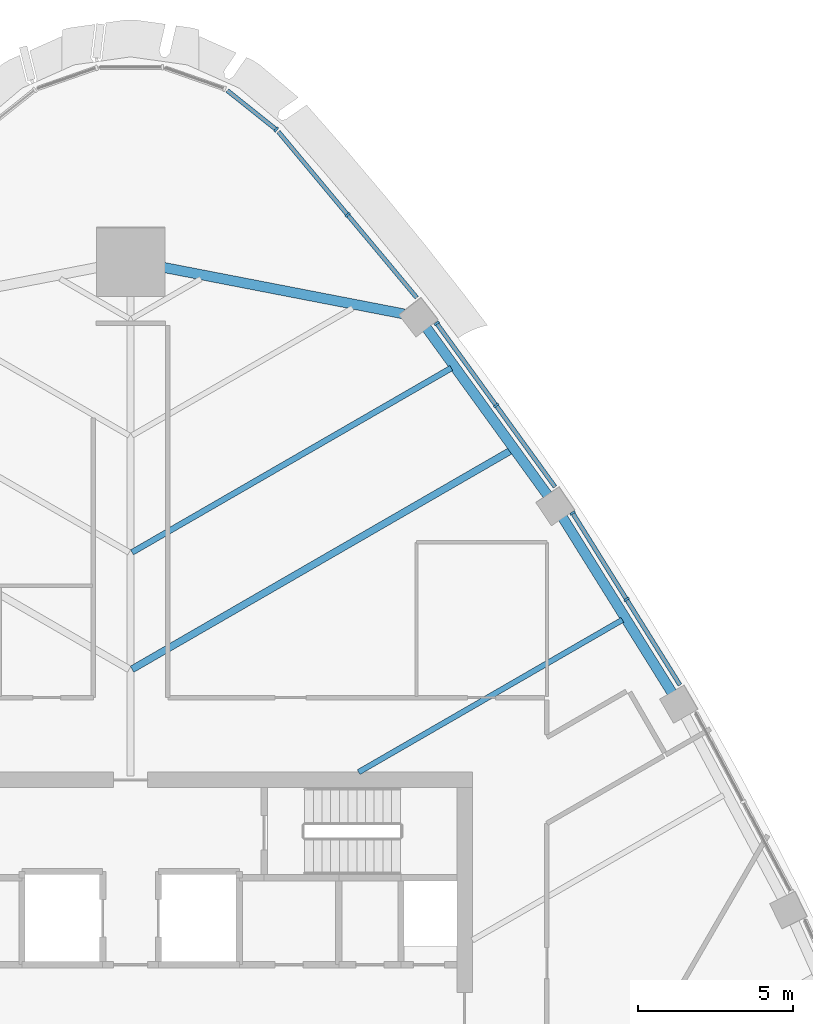
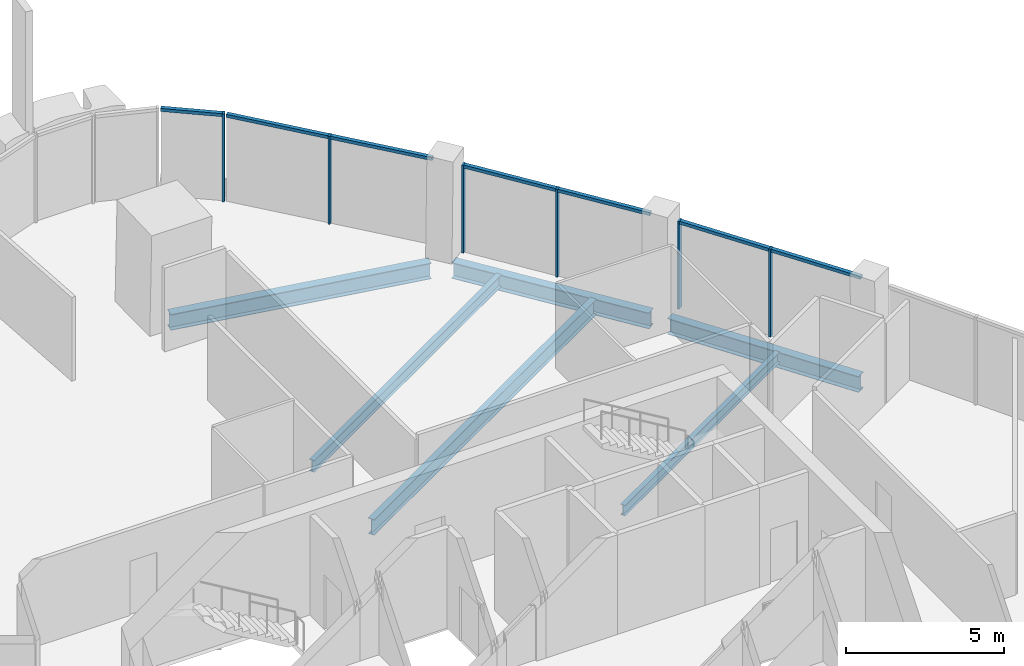
# One storey, part 6 of 16: 13 members, 6 beams, 4 elements without a shape of their own.
"""IFC4 building model written with IfcOpenShell, lengths in metres."""

from ifc_helpers import new_model, si_unit, direction, frame, origin, origin_2d, place, context, subcontext, project, spatial, rectangle, i_section, extrude, material, layer, layer_set, material_profile, profile_set, type_object, element, aggregate, save


model = new_model("IFC4")

# Units and contexts
model_context = context("Model", 3, precision=1e-05, world=origin(), true_north=direction((0.0, 1.0)))
body_context = subcontext(model_context, "Body", "Model", "MODEL_VIEW")
ifc_project = project(units=[si_unit("LENGTHUNIT", "METRE"), si_unit("AREAUNIT", "SQUARE_METRE"), si_unit("VOLUMEUNIT", "CUBIC_METRE"), si_unit("PLANEANGLEUNIT", "RADIAN"), si_unit("MASSUNIT", "GRAM", prefix="KILO")], contexts=[model_context])

# Site, building, storey
site_placement = place(None, origin())
site = spatial("IfcSite", under=ifc_project, at=site_placement, CompositionType="ELEMENT")
building_placement = place(site_placement, origin())
building = spatial("IfcBuilding", under=site, at=building_placement, Name="Sierra Prisma Convention Tower", CompositionType="ELEMENT")
storey_placement = place(building_placement, frame((0.0, 0.0, 271.0)))
storey = spatial("IfcBuildingStorey", under=building, at=storey_placement, Name="L61", CompositionType="ELEMENT", Elevation=271.0)

# Curtain wall, members
ifc_material_1 = material(Name="Aluminium and glass curtain wall", Category="aluminium")
ifc_layer = layer(ifc_material_1, 0.179931640625)
ifc_layer_set = layer_set([ifc_layer], Name="CW-1 Plain shaft curtain wall")
curtain_wall_type = type_object("IfcCurtainWallType", Name="CW-1 Plain shaft curtain wall", PredefinedType="NOTDEFINED", material=ifc_layer_set)
curtain_wall_1_placement = place(storey_placement, origin())
curtain_wall_1 = element("IfcCurtainWall", 1, at=curtain_wall_1_placement, inside=storey, type_object=curtain_wall_type, Name="CW-1 NE4 L61", PredefinedType="NOTDEFINED")
ifc_material_2 = material(Name="Aluminium 6063-T6 bronze anodised", Category="aluminium")
ifc_material_profile_1 = material_profile(ifc_material_2, rectangle(XDim=0.179931640625, YDim=0.070068359375, at=origin_2d()), Name="ALU MULLION 70x180")
ifc_profile_set_1 = profile_set([ifc_material_profile_1], Name="Aluminium 6063-T6 bronze anodised")
member_type_1 = type_object("IfcMemberType", Name="CW mullion bronze", PredefinedType="MULLION", material=ifc_profile_set_1)
member_1_placement = place(storey_placement, frame((15.964599609375, 13.561767578125, 0.0), z_axis=(0.0, 0.0, 1.0), x_axis=(-0.848366944855, -0.529408657728, 0.0)))
member_1 = element("IfcMember", 2, at=member_1_placement, type_object=member_type_1, Name="CW-1 mullion NE4.2", PredefinedType="MULLION", context=body_context, shape_type="SweptSolid", body=[
    extrude(rectangle(XDim=0.179931640625, YDim=0.070068359375, at=origin_2d()), origin(), (0.0, 0.0, 1.0), 3.39990234375),
])
member_2_placement = place(storey_placement, frame((14.22802734375, 16.344482421875, 0.0), z_axis=(0.0, 0.0, 1.0), x_axis=(-0.848366944855, -0.529408657728, 0.0)))
member_2 = element("IfcMember", 3, at=member_2_placement, type_object=member_type_1, Name="CW-1 mullion NE4.3", PredefinedType="MULLION", context=body_context, shape_type="SweptSolid", body=[
    extrude(rectangle(XDim=0.179931640625, YDim=0.070068359375, at=origin_2d()), origin(), (0.0, 0.0, 1.0), 3.39990234375),
])

curtain_wall_2_placement = place(storey_placement, origin())
curtain_wall_2 = element("IfcCurtainWall", 4, at=curtain_wall_2_placement, inside=storey, type_object=curtain_wall_type, Name="CW-1 NE5 L61", PredefinedType="NOTDEFINED")
member_3_placement = place(storey_placement, frame((11.7666015625, 19.803466796875, 0.0), z_axis=(0.0, 0.0, 1.0), x_axis=(-0.810077184674, -0.586323251177, 0.0)))
member_3 = element("IfcMember", 5, at=member_3_placement, type_object=member_type_1, Name="CW-1 mullion NE5.2", PredefinedType="MULLION", context=body_context, shape_type="SweptSolid", body=[
    extrude(rectangle(XDim=0.179931640625, YDim=0.070068359375, at=origin_2d()), origin(), (0.0, 0.0, 1.0), 3.39990234375),
])
member_4_placement = place(storey_placement, frame((9.852294921875, 22.4482421875, 0.0), z_axis=(0.0, 0.0, 1.0), x_axis=(-0.810077184674, -0.586323251177, 0.0)))
member_4 = element("IfcMember", 6, at=member_4_placement, type_object=member_type_1, Name="CW-1 mullion NE5.3", PredefinedType="MULLION", context=body_context, shape_type="SweptSolid", body=[
    extrude(rectangle(XDim=0.179931640625, YDim=0.070068359375, at=origin_2d()), origin(), (0.0, 0.0, 1.0), 3.39990234375),
])

# Curtain wall, member
curtain_wall_3_placement = place(storey_placement, origin())
curtain_wall_3 = element("IfcCurtainWall", 7, at=curtain_wall_3_placement, inside=storey, type_object=curtain_wall_type, Name="CW-1 NE6 L61", PredefinedType="NOTDEFINED")
member_5_placement = place(storey_placement, frame((6.98388671875, 25.94384765625, 0.0), z_axis=(0.0, 0.0, 1.0), x_axis=(-0.767975706198, -0.640478972871, 0.0)))
member_5 = element("IfcMember", 8, at=member_5_placement, type_object=member_type_1, Name="CW-1 mullion NE6.2", PredefinedType="MULLION", context=body_context, shape_type="SweptSolid", body=[
    extrude(rectangle(XDim=0.179931640625, YDim=0.070068359375, at=origin_2d()), origin(), (0.0, 0.0, 1.0), 3.39990234375),
])

curtain_wall_4_placement = place(storey_placement, origin())
curtain_wall_4 = element("IfcCurtainWall", 9, at=curtain_wall_4_placement, inside=storey, type_object=curtain_wall_type, Name="CW-1 N1 L61", PredefinedType="NOTDEFINED")
member_6_placement = place(storey_placement, frame((4.685546875, 28.688720703125, 0.0), z_axis=(0.0, 0.0, 1.0), x_axis=(-0.623409680658, -0.781895370278, 0.0)))
member_6 = element("IfcMember", 10, at=member_6_placement, type_object=member_type_1, Name="CW-1 mullion N1.1", PredefinedType="MULLION", context=body_context, shape_type="SweptSolid", body=[
    extrude(rectangle(XDim=0.179931640625, YDim=0.070068359375, at=origin_2d()), origin(), (0.0, 0.0, 1.0), 3.39990234375),
])

# Member
ifc_material_3 = material(Name="Aluminium 6063-T6 bronze anodised", Category="aluminium")
ifc_material_profile_2 = material_profile(ifc_material_3, rectangle(XDim=0.139892578125, YDim=0.1201171875, at=origin_2d()), Name="ALU TRANSOM 120x140")
ifc_profile_set_2 = profile_set([ifc_material_profile_2], Name="Aluminium 6063-T6 bronze anodised")
member_type_2 = type_object("IfcMemberType", Name="CW transom bronze", PredefinedType="USERDEFINED", material=ifc_profile_set_2)
member_7_placement = place(storey_placement, frame((17.682373046875, 10.80908203125, 3.340087890625), z_axis=(-0.529438218515, 0.848348497244, 0.0), x_axis=(-0.848348497244, -0.529438218515, 0.0)))
member_7 = element("IfcMember", 11, at=member_7_placement, type_object=member_type_2, Name="CW-1 transom NE4.1", ObjectType="TRANSOM", PredefinedType="USERDEFINED", context=body_context, shape_type="SweptSolid", body=[
    extrude(rectangle(XDim=0.139892578125, YDim=0.1201171875, at=origin_2d()), origin(), (0.0, 0.0, 1.0), 3.2099609375),
])

member_8_placement = place(storey_placement, frame((15.946044921875, 13.591552734375, 3.340087890625), z_axis=(-0.529438218515, 0.848348497244, 0.0), x_axis=(-0.848348497244, -0.529438218515, 0.0)))
member_8 = element("IfcMember", 12, at=member_8_placement, type_object=member_type_2, Name="CW-1 transom NE4.2", ObjectType="TRANSOM", PredefinedType="USERDEFINED", context=body_context, shape_type="SweptSolid", body=[
    extrude(rectangle(XDim=0.139892578125, YDim=0.1201171875, at=origin_2d()), origin(), (0.0, 0.0, 1.0), 3.2099609375),
])

aggregate(curtain_wall_1, [member_1, member_2, member_7, member_8])

member_9_placement = place(storey_placement, frame((13.66015625, 17.187255859375, 3.340087890625), z_axis=(-0.58631617492, 0.810082306329, 0.0), x_axis=(-0.810082306329, -0.58631617492, 0.0)))
member_9 = element("IfcMember", 13, at=member_9_placement, type_object=member_type_2, Name="CW-1 transom NE5.1", ObjectType="TRANSOM", PredefinedType="USERDEFINED", context=body_context, shape_type="SweptSolid", body=[
    extrude(rectangle(XDim=0.139892578125, YDim=0.1201171875, at=origin_2d()), origin(), (0.0, 0.0, 1.0), 3.194580078125),
])

member_10_placement = place(storey_placement, frame((11.74609375, 19.831787109375, 3.340087890625), z_axis=(-0.58633002645, 0.810072280777, 0.0), x_axis=(-0.810072280777, -0.58633002645, 0.0)))
member_10 = element("IfcMember", 14, at=member_10_placement, type_object=member_type_2, Name="CW-1 transom NE5.2", ObjectType="TRANSOM", PredefinedType="USERDEFINED", context=body_context, shape_type="SweptSolid", body=[
    extrude(rectangle(XDim=0.139892578125, YDim=0.1201171875, at=origin_2d()), origin(), (0.0, 0.0, 1.0), 3.19482421875),
])

aggregate(curtain_wall_2, [member_3, member_4, member_9, member_10])

member_11_placement = place(storey_placement, frame((9.210205078125, 23.274658203125, 3.340087890625), z_axis=(-0.640512363589, 0.767947857663, 0.0), x_axis=(-0.767947857663, -0.640512363589, 0.0)))
member_11 = element("IfcMember", 15, at=member_11_placement, type_object=member_type_2, Name="CW-1 transom NE6.1", ObjectType="TRANSOM", PredefinedType="USERDEFINED", context=body_context, shape_type="SweptSolid", body=[
    extrude(rectangle(XDim=0.139892578125, YDim=0.1201171875, at=origin_2d()), origin(), (0.0, 0.0, 1.0), 3.440673828125),
])

member_12_placement = place(storey_placement, frame((6.961669921875, 25.970703125, 3.340087890625), z_axis=(-0.640477463391, 0.767976965076, 0.0), x_axis=(-0.767976965076, -0.640477463391, 0.0)))
member_12 = element("IfcMember", 16, at=member_12_placement, type_object=member_type_2, Name="CW-1 transom NE6.2", ObjectType="TRANSOM", PredefinedType="USERDEFINED", context=body_context, shape_type="SweptSolid", body=[
    extrude(rectangle(XDim=0.139892578125, YDim=0.1201171875, at=origin_2d()), origin(), (0.0, 0.0, 1.0), 3.44091796875),
])

aggregate(curtain_wall_3, [member_5, member_11, member_12])

member_13_placement = place(storey_placement, frame((4.658203125, 28.710693359375, 3.340087890625), z_axis=(-0.781915673363, 0.623384215191, 0.0), x_axis=(-0.623384215191, -0.781915673363, 0.0)))
member_13 = element("IfcMember", 17, at=member_13_placement, type_object=member_type_2, Name="CW-1 transom N1.1", ObjectType="TRANSOM", PredefinedType="USERDEFINED", context=body_context, shape_type="SweptSolid", body=[
    extrude(rectangle(XDim=0.139892578125, YDim=0.1201171875, at=origin_2d()), origin(), (0.0, 0.0, 1.0), 1.977294921875),
])

aggregate(curtain_wall_4, [member_6, member_13])

# Beams
ifc_material_4 = material(Name="Steel ASTM A992 Gr 50", Category="steel")
ifc_material_profile_3 = material_profile(ifc_material_4, i_section(OverallWidth=0.177978515625, OverallDepth=0.406982421875, WebThickness=0.0078125, FlangeThickness=0.0126953125, at=origin_2d()), Name="W410x60")
ifc_profile_set_3 = profile_set([ifc_material_profile_3], Name="Steel ASTM A992 Gr 50")
beam_type_1 = type_object("IfcBeamType", Name="Floor joist W410x60", PredefinedType="JOIST", material=ifc_profile_set_3)
beam_1_placement = place(storey_placement, frame((15.8310546875, 12.90234375, -0.353515625), z_axis=(-0.866021791814, -0.500006256063, 0.0), x_axis=(0.500006256063, -0.866021791814, 0.0)))
element("IfcBeam", 18, at=beam_1_placement, inside=storey, type_object=beam_type_1, Name="Floor joist L61 NE08", PredefinedType="JOIST", context=body_context, shape_type="SweptSolid", body=[
    extrude(i_section(OverallWidth=0.177978515625, OverallDepth=0.406982421875, WebThickness=0.0078125, FlangeThickness=0.0126953125, at=origin_2d()), origin(), (0.0, 0.0, 1.0), 9.804443359375),
])
ifc_material_5 = material(Name="Steel ASTM A992 Gr 50", Category="steel")
ifc_material_profile_4 = material_profile(ifc_material_5, i_section(OverallWidth=0.18994140625, OverallDepth=0.45703125, WebThickness=0.009033203125, FlangeThickness=0.014404296875, at=origin_2d()), Name="W460x74")
ifc_profile_set_4 = profile_set([ifc_material_profile_4], Name="Steel ASTM A992 Gr 50")
beam_type_2 = type_object("IfcBeamType", Name="Floor joist W460x74", PredefinedType="JOIST", material=ifc_profile_set_4)
beam_2_placement = place(storey_placement, frame((10.3232421875, 21.0087890625, -0.37841796875), z_axis=(-0.866026623601, -0.49999788721, 0.0), x_axis=(0.49999788721, -0.866026623601, 0.0)))
element("IfcBeam", 19, at=beam_2_placement, inside=storey, type_object=beam_type_2, Name="Floor joist L61 NE11", PredefinedType="JOIST", context=body_context, shape_type="SweptSolid", body=[
    extrude(i_section(OverallWidth=0.18994140625, OverallDepth=0.45703125, WebThickness=0.009033203125, FlangeThickness=0.014404296875, at=origin_2d()), origin(), (0.0, 0.0, 1.0), 11.8671875),
])
ifc_material_6 = material(Name="Steel ASTM A992 Gr 50", Category="steel")
ifc_material_profile_5 = material_profile(ifc_material_6, i_section(OverallWidth=0.22802734375, OverallDepth=0.60302734375, WebThickness=0.010498046875, FlangeThickness=0.014892578125, at=origin_2d()), Name="W610x101")
ifc_profile_set_5 = profile_set([ifc_material_profile_5], Name="Steel ASTM A992 Gr 50")
beam_type_3 = type_object("IfcBeamType", Name="Floor joist W610x101", PredefinedType="JOIST", material=ifc_profile_set_5)
beam_3_placement = place(storey_placement, frame((12.24365234375, 18.35546875, -0.451416015625), z_axis=(-0.866022207469, -0.50000553614, 0.0), x_axis=(0.50000553614, -0.866022207469, 0.0)))
element("IfcBeam", 20, at=beam_3_placement, inside=storey, type_object=beam_type_3, Name="Floor joist L61 NE10", PredefinedType="JOIST", context=body_context, shape_type="SweptSolid", body=[
    extrude(i_section(OverallWidth=0.22802734375, OverallDepth=0.60302734375, WebThickness=0.010498046875, FlangeThickness=0.014892578125, at=origin_2d()), origin(), (0.0, 0.0, 1.0), 14.084716796875),
])
ifc_material_7 = material(Name="Steel ASTM A992 Gr 50", Category="steel")
ifc_material_profile_6 = material_profile(ifc_material_7, i_section(OverallWidth=0.324951171875, OverallDepth=0.615966796875, WebThickness=0.013916015625, FlangeThickness=0.021484375, at=origin_2d()), Name="W610x174")
ifc_profile_set_6 = profile_set([ifc_material_profile_6], Name="Steel ASTM A992 Gr 50")
beam_type_4 = type_object("IfcBeamType", Name="Spandrel beam W610x174", PredefinedType="BEAM", material=ifc_profile_set_6)
for number, where, z_axis, x_axis, name in (
    (21, (17.479736328125, 10.47314453125, -0.4580078125), (-0.529413128708, 0.848364154801, 0.0), (-0.848364154801, -0.529413128708, 0.0), "Spandrel L61-10"),
    (22, (13.48095703125, 16.838134765625, -0.4580078125), (-0.58633260949, 0.810070411168, 0.0), (-0.810070411168, -0.58633260949, 0.0), "Spandrel L61-11"),
):
    element("IfcBeam", number, at=place(storey_placement, frame(where, z_axis=z_axis, x_axis=x_axis)), inside=storey, type_object=beam_type_4, Name=name, PredefinedType="BEAM", context=body_context, shape_type="SweptSolid", body=[
        extrude(i_section(OverallWidth=0.324951171875, OverallDepth=0.615966796875, WebThickness=0.013916015625, FlangeThickness=0.021484375, at=origin_2d()), origin(), (0.0, 0.0, 1.0), 6.85693359375),
    ])
beam_4_placement = place(storey_placement, frame((8.797607421875, 22.751220703125, -0.4580078125), z_axis=(-0.981775309803, 0.190045365799, 0.0), x_axis=(-0.190045365799, -0.981775309803, 0.0)))
element("IfcBeam", 23, at=beam_4_placement, inside=storey, type_object=beam_type_4, Name="Spandrel L61-12", PredefinedType="BEAM", context=body_context, shape_type="SweptSolid", body=[
    extrude(i_section(OverallWidth=0.324951171875, OverallDepth=0.615966796875, WebThickness=0.013916015625, FlangeThickness=0.021484375, at=origin_2d()), origin(), (0.0, 0.0, 1.0), 8.73681640625),
])

save(model, "model.ifc")
